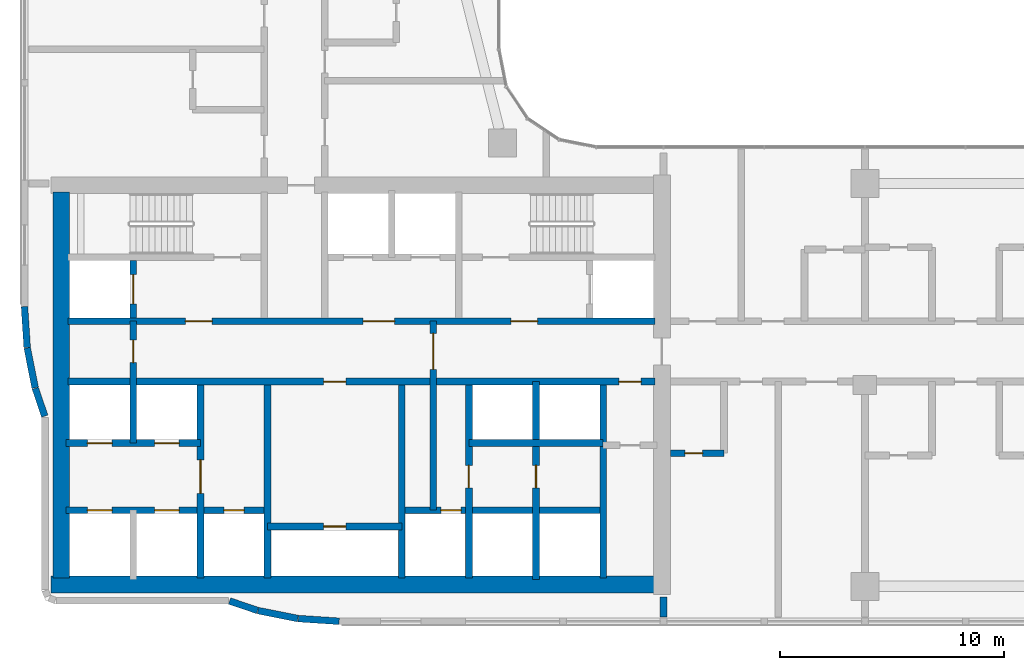
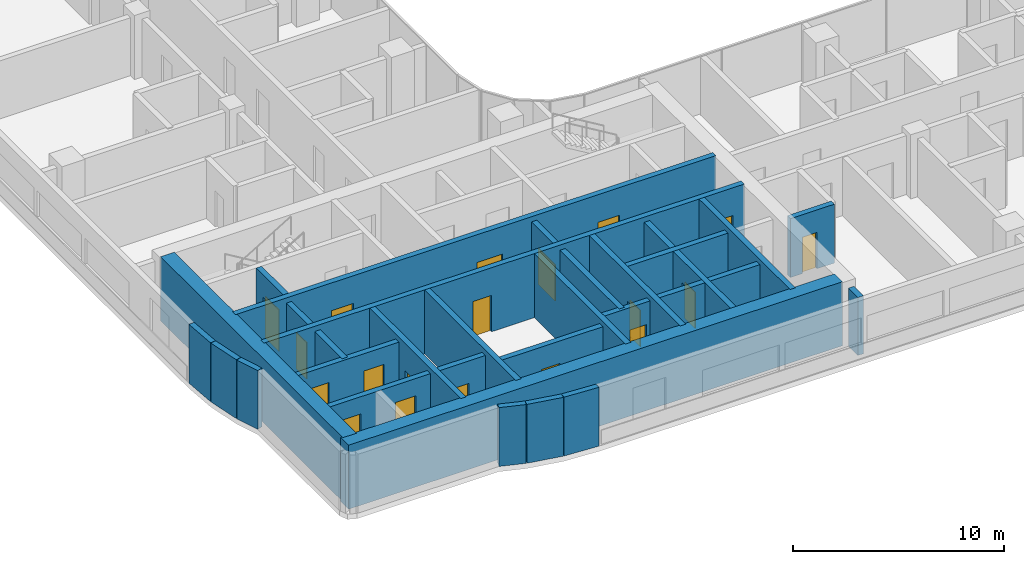
# One storey, part 9 of 22: 26 walls, 19 doors, 19 openings.
"""IFC4 building model written with IfcOpenShell, lengths in metres."""

import ifcopenshell
import ifcopenshell.guid

model = None  # the IFC model being written
_history = None  # IfcOwnerHistory: only IFC2X3 demands one
_inside = {}  # id of a spatial element -> (the spatial element, [elements in it])
_under = {}  # id of a project, library or spatial element -> (it, [spatial elements below it])
_declared = {}  # id of a project -> (the project, [libraries it declares])
_typed = {}  # id of a type object -> (the type object, [elements of that type])
_made_of = {}  # id of a material, layer set ... -> (it, [elements and type objects made of it])


def new_model(schema):
    """Start an empty IFC model of exactly this schema.

    Asked for "IFC4X3", IfcOpenShell would pick the latest addendum, in which some entities
    have other attributes; the version numbers below select the first issue.
    IFC2X3 requires an IfcOwnerHistory on every rooted entity: one is made here for all.
    """
    global model, _history
    if schema == "IFC4X3":
        model = ifcopenshell.file(schema_version=(4, 3, 0, 0))
    else:
        model = ifcopenshell.file(schema=schema)
    _inside.clear()
    _under.clear()
    _declared.clear()
    _typed.clear()
    _made_of.clear()
    _history = None
    if model.schema == "IFC2X3":
        org = make("IfcOrganization", Name="unknown")
        user = make(
            "IfcPersonAndOrganization",
            ThePerson=make("IfcPerson", FamilyName="unknown"),
            TheOrganization=org,
        )
        app = make(
            "IfcApplication",
            ApplicationDeveloper=org,
            Version="unknown",
            ApplicationFullName="unknown",
            ApplicationIdentifier="unknown",
        )
        _history = make(
            "IfcOwnerHistory",
            OwningUser=user,
            OwningApplication=app,
            ChangeAction="ADDED",
            CreationDate=0,
        )
    return model


def make(cls, **values):
    """One entity of the class cls with the attributes given. An attribute that is None is left unset."""
    return model.create_entity(
        cls, **{name: value for name, value in values.items() if value is not None}
    )


def rooted(cls, **values):
    """An entity with a GlobalId (a new one), such as an element, a storey or a relation."""
    return make(cls, GlobalId=ifcopenshell.guid.new(), OwnerHistory=_history, **values)


def si_unit(unit_type, name, prefix=None):
    """IfcSIUnit, for example si_unit("LENGTHUNIT", "METRE", prefix="MILLI")."""
    return make("IfcSIUnit", UnitType=unit_type, Prefix=prefix, Name=name)


def assignment(units):
    """IfcUnitAssignment: the units of a project."""
    return None if units is None else make("IfcUnitAssignment", Units=units)


def point(xyz):
    """IfcCartesianPoint."""
    return None if xyz is None else make("IfcCartesianPoint", Coordinates=xyz)


def direction(xyz):
    """IfcDirection."""
    return None if xyz is None else make("IfcDirection", DirectionRatios=xyz)


def frame(location, z_axis=None, x_axis=None):
    """IfcAxis2Placement3D, a coordinate frame: its origin and axes. An axis left out is left unset."""
    return make(
        "IfcAxis2Placement3D",
        Location=point(location),
        Axis=direction(z_axis),
        RefDirection=direction(x_axis),
    )


def frame_2d(location, x_axis=None):
    """IfcAxis2Placement2D, a coordinate frame in the plane: its origin and x axis."""
    return make(
        "IfcAxis2Placement2D", Location=point(location), RefDirection=direction(x_axis)
    )


def origin():
    """The frame at (0, 0, 0) with its axes left unset."""
    return frame((0.0, 0.0, 0.0))


def place(relative_to, where):
    """IfcLocalPlacement: puts the frame where relative to a parent placement (None: the world)."""
    return make(
        "IfcLocalPlacement", PlacementRelTo=relative_to, RelativePlacement=where
    )


def context(
    kind, dimensions, precision=None, world=None, true_north=None, identifier=None
):
    """IfcGeometricRepresentationContext, for example the 3D "Model" context."""
    return make(
        "IfcGeometricRepresentationContext",
        ContextIdentifier=identifier,
        ContextType=kind,
        CoordinateSpaceDimension=dimensions,
        Precision=precision,
        WorldCoordinateSystem=world,
        TrueNorth=true_north,
    )


def subcontext(parent, identifier, kind, view, scale=None):
    """IfcGeometricRepresentationSubContext, for example "Body" below "Model"."""
    return make(
        "IfcGeometricRepresentationSubContext",
        ContextIdentifier=identifier,
        ContextType=kind,
        ParentContext=parent,
        TargetScale=scale,
        TargetView=view,
    )


def project(units=None, contexts=None):
    """IfcProject with its units and contexts."""
    return rooted(
        "IfcProject",
        Name="project",
        RepresentationContexts=contexts,
        UnitsInContext=assignment(units),
    )


def spatial(cls, under=None, at=None, **own):
    """A site, building, storey or space (cls), placed at a placement, below another one or the project."""
    s = rooted(cls, ObjectPlacement=at, **own)
    if under is not None:
        _under.setdefault(under.id(), (under, []))[1].append(s)
    return s


def profile(cls, at=None, kind="AREA", **sizes):
    """A parametric profile (cls). Its sizes go by their IFC names, for example OverallWidth=200.0."""
    return make(cls, ProfileType=kind, Position=at, **sizes)


def rectangle(**sizes):
    """IfcRectangleProfileDef."""
    return profile("IfcRectangleProfileDef", **sizes)


def extrude(swept, where, along, depth):
    """IfcExtrudedAreaSolid: the profile swept, set in the frame where, extruded along a direction by depth."""
    return make(
        "IfcExtrudedAreaSolid",
        SweptArea=swept,
        Position=where,
        ExtrudedDirection=direction(along),
        Depth=depth,
    )


def shape(context_of_items, identifier, shape_type, items):
    """IfcShapeRepresentation: the items that make up one representation, for example the "Body"."""
    return make(
        "IfcShapeRepresentation",
        ContextOfItems=context_of_items,
        RepresentationIdentifier=identifier,
        RepresentationType=shape_type,
        Items=items,
    )


def material(Name=None, Category=None):
    """IfcMaterial."""
    return make("IfcMaterial", Name=Name, Category=Category)


def layer(
    of_material, thickness, ventilated=None, Name=None, Category=None, Priority=None
):
    """IfcMaterialLayer: one layer of a wall or slab, of a material (None: an air gap)."""
    return make(
        "IfcMaterialLayer",
        Material=of_material,
        LayerThickness=thickness,
        IsVentilated=ventilated,
        Name=Name,
        Category=Category,
        Priority=Priority,
    )


def layer_set(layers, Name=None):
    """IfcMaterialLayerSet."""
    return make("IfcMaterialLayerSet", MaterialLayers=layers, LayerSetName=Name)


def made_of(thing, what):
    """Note that an element or type object is made of a material, layer set ...; save() writes the relation."""
    if what is not None:
        _made_of.setdefault(what.id(), (what, []))[1].append(thing)
    return thing


def type_object(cls, material=None, **own):
    """A type object (cls), such as IfcWallType, which elements share."""
    return made_of(rooted(cls, **own), material)


def element(
    cls,
    number,
    at=None,
    inside=None,
    cuts=None,
    type_object=None,
    material=None,
    context=None,
    identifier="Body",
    shape_type=None,
    held_by="IfcProductDefinitionShape",
    body=None,
    shapes=None,
    **own,
):
    """One element of the class cls, such as IfcWall. Its Tag is "e" and its number.

    at: its placement. inside: the storey or other place that contains it. cuts: it is an
    opening in that element (IfcRelVoidsElement). A single representation is given by context,
    identifier, shape_type and body (its items); several are given by shapes. held_by: the class
    of the entity that holds the representations. save() writes the other relations.
    """
    e = rooted(cls, Tag="e%d" % number, ObjectPlacement=at, **own)
    if body is not None:
        shapes = [shape(context, identifier, shape_type, body)]
    if shapes is not None:
        e.Representation = make(held_by, Representations=shapes)
    if inside is not None:
        _inside.setdefault(inside.id(), (inside, []))[1].append(e)
    if cuts is not None:
        rooted(
            "IfcRelVoidsElement", RelatingBuildingElement=cuts, RelatedOpeningElement=e
        )
    if type_object is not None:
        _typed.setdefault(type_object.id(), (type_object, []))[1].append(e)
    return made_of(e, material)


def fill(opening, filler):
    """IfcRelFillsElement: the door or window that sits in an opening."""
    return rooted(
        "IfcRelFillsElement",
        RelatingOpeningElement=opening,
        RelatedBuildingElement=filler,
    )


def aggregate(whole, parts):
    """IfcRelAggregates: a whole, such as a stair, and the parts it consists of."""
    return rooted("IfcRelAggregates", RelatingObject=whole, RelatedObjects=parts)


def save(model, path):
    """Write the relations noted so far, then the file.

    IfcRelAggregates (storeys below a building ...), IfcRelContainedInSpatialStructure (elements
    in a storey), IfcRelDefinesByType, IfcRelAssociatesMaterial and IfcRelDeclares: one each for
    every whole, place, type object, material and project.
    """
    for whole, parts in _under.values():
        aggregate(whole, parts)
    for where, things in _inside.values():
        rooted(
            "IfcRelContainedInSpatialStructure",
            RelatedElements=things,
            RelatingStructure=where,
        )
    for kind, things in _typed.values():
        rooted("IfcRelDefinesByType", RelatedObjects=things, RelatingType=kind)
    for what, things in _made_of.values():
        rooted("IfcRelAssociatesMaterial", RelatedObjects=things, RelatingMaterial=what)
    for by, libraries in _declared.values():
        rooted("IfcRelDeclares", RelatingContext=by, RelatedDefinitions=libraries)
    model.write(path)


model = new_model("IFC4")

# Units and contexts
model_context = context("Model", 3, precision=1e-05, world=origin(), true_north=direction((0.0, 1.0)))
body_context = subcontext(model_context, "Body", "Model", "MODEL_VIEW")
ifc_project = project(units=[si_unit("LENGTHUNIT", "METRE"), si_unit("AREAUNIT", "SQUARE_METRE"), si_unit("VOLUMEUNIT", "CUBIC_METRE"), si_unit("PLANEANGLEUNIT", "RADIAN"), si_unit("MASSUNIT", "GRAM", prefix="KILO")], contexts=[model_context])

# Site, building, storey
site_placement = place(None, origin())
site = spatial("IfcSite", under=ifc_project, at=site_placement, CompositionType="ELEMENT")
building_placement = place(site_placement, origin())
building = spatial("IfcBuilding", under=site, at=building_placement, Name="Ogive Portal Towers", CompositionType="ELEMENT")
storey_placement = place(building_placement, frame((0.0, 0.0, 131.5)))
storey = spatial("IfcBuildingStorey", under=building, at=storey_placement, Name="L32", CompositionType="ELEMENT", Elevation=131.5)

# Wall, opening, door
ifc_material_1 = material(Name="Concrete C60/75", Category="concrete")
ifc_layer_1 = layer(ifc_material_1, 0.300048828125)
ifc_layer_set_1 = layer_set([ifc_layer_1], Name="CORE WALL 300 C60")
wall_type_1 = type_object("IfcWallType", Name="CORE WALL 300 C60", PredefinedType="SHEAR", material=ifc_layer_set_1)
wall_1_placement = place(storey_placement, frame((37.800048828125, 21.875, 0.0), z_axis=(0.0, 0.0, 1.0), x_axis=(0.0, 1.0, 0.0)))
wall_1 = element("IfcWall", 1, at=wall_1_placement, inside=storey, type_object=wall_type_1, Name="Core wall X1 L32", PredefinedType="SHEAR", context=body_context, shape_type="SweptSolid", body=[
    extrude(rectangle(XDim=8.625, YDim=0.300048828125, at=frame_2d((4.3125, 0.0))), origin(), (0.0, 0.0, 1.0), 3.699951171875),
])
opening_1_placement = place(wall_1_placement, frame((3.77490234375, 0.0, 0.0)))
opening_1 = element("IfcOpeningElement", 2, at=opening_1_placement, cuts=wall_1, Name="Opening D11-002", PredefinedType="OPENING", context=body_context, shape_type="SweptSolid", body=[
    extrude(rectangle(XDim=1.5, YDim=2.10009765625, at=frame_2d((0.75, 1.050048828125))), frame((0.0, 0.16015625, 0.0), z_axis=(0.0, -1.0, 0.0), x_axis=(1.0, 0.0, 0.0)), (0.0, 0.0, 1.0), 0.320068359375),
])
ifc_material_2 = material(Name="Steel fire door", Category="steel")
door_type_1 = type_object("IfcDoorType", Name="DT-SWING-1500x2100-FD90S", OperationType="SINGLE_SWING_LEFT", PredefinedType="DOOR", material=ifc_material_2)
door_1_placement = place(opening_1_placement, origin())
door_1 = element("IfcDoor", 3, at=door_1_placement, inside=storey, type_object=door_type_1, Name="Door D11-002", OperationType="SINGLE_SWING_LEFT", OverallHeight=2.10009765625, OverallWidth=1.5, PredefinedType="DOOR", context=body_context, shape_type="SweptSolid", body=[
    extrude(rectangle(XDim=1.5, YDim=2.10009765625, at=frame_2d((0.75, 1.050048828125))), frame((0.0, 0.02490234375, 0.0), z_axis=(0.0, -1.0, 0.0), x_axis=(1.0, 0.0, 0.0)), (0.0, 0.0, 1.0), 0.050048828125),
])
fill(opening_1, door_1)

# Walls
for number, where, z_axis, x_axis, name in (
    (4, (40.800048828125, 21.875, 0.0), (0.0, 0.0, 1.0), (0.0, 1.0, 0.0), "Core wall X2 L32"),
    (5, (46.800048828125, 21.875, 0.0), (0.0, 0.0, 1.0), (0.0, 1.0, 0.0), "Core wall X3 L32"),
):
    element("IfcWall", number, at=place(storey_placement, frame(where, z_axis=z_axis, x_axis=x_axis)), inside=storey, type_object=wall_type_1, Name=name, PredefinedType="SHEAR", context=body_context, shape_type="SweptSolid", body=[
        extrude(rectangle(XDim=8.625, YDim=0.300048828125, at=frame_2d((4.3125, 0.0))), origin(), (0.0, 0.0, 1.0), 3.699951171875),
    ])

# Wall, opening, door
wall_2_placement = place(storey_placement, frame((49.800048828125, 21.875, 0.0), z_axis=(0.0, 0.0, 1.0), x_axis=(0.0, 1.0, 0.0)))
wall_2 = element("IfcWall", 6, at=wall_2_placement, inside=storey, type_object=wall_type_1, Name="Core wall X4 L32", PredefinedType="SHEAR", context=body_context, shape_type="SweptSolid", body=[
    extrude(rectangle(XDim=8.625, YDim=0.300048828125, at=frame_2d((4.3125, 0.0))), origin(), (0.0, 0.0, 1.0), 3.699951171875),
])
opening_2_placement = place(wall_2_placement, frame((4.02490234375, 0.0, 0.0)))
opening_2 = element("IfcOpeningElement", 7, at=opening_2_placement, cuts=wall_2, Name="Opening D11-024", PredefinedType="OPENING", context=body_context, shape_type="SweptSolid", body=[
    extrude(rectangle(XDim=1.0, YDim=2.10009765625, at=frame_2d((0.5, 1.050048828125))), frame((0.0, 0.16015625, 0.0), z_axis=(0.0, -1.0, 0.0), x_axis=(1.0, 0.0, 0.0)), (0.0, 0.0, 1.0), 0.320068359375),
])
door_type_2 = type_object("IfcDoorType", Name="DT-SWING-1000x2100-FD90S", OperationType="SINGLE_SWING_LEFT", PredefinedType="DOOR", material=ifc_material_2)
door_2_placement = place(opening_2_placement, origin())
door_2 = element("IfcDoor", 8, at=door_2_placement, inside=storey, type_object=door_type_2, Name="Door D11-024", OperationType="SINGLE_SWING_LEFT", OverallHeight=2.10009765625, OverallWidth=1.0, PredefinedType="DOOR", context=body_context, shape_type="SweptSolid", body=[
    extrude(rectangle(XDim=1.0, YDim=2.10009765625, at=frame_2d((0.5, 1.050048828125))), frame((0.0, 0.02490234375, 0.0), z_axis=(0.0, -1.0, 0.0), x_axis=(1.0, 0.0, 0.0)), (0.0, 0.0, 1.0), 0.050048828125),
])
fill(opening_2, door_2)

# Wall
wall_3_placement = place(storey_placement, frame((55.800048828125, 21.875, 0.0), z_axis=(0.0, 0.0, 1.0), x_axis=(0.0, 1.0, 0.0)))
element("IfcWall", 9, at=wall_3_placement, inside=storey, type_object=wall_type_1, Name="Core wall X5 L32", PredefinedType="SHEAR", context=body_context, shape_type="SweptSolid", body=[
    extrude(rectangle(XDim=8.625, YDim=0.300048828125, at=frame_2d((4.3125, 0.0))), origin(), (0.0, 0.0, 1.0), 3.699951171875),
])

# Wall, openings, doors
wall_4_placement = place(storey_placement, frame((31.875, 30.64990234375, 0.0), z_axis=(0.0, 0.0, 1.0), x_axis=(1.0, 0.0, 0.0)))
wall_4 = element("IfcWall", 10, at=wall_4_placement, inside=storey, type_object=wall_type_1, Name="Core wall Y1 L32", PredefinedType="SHEAR", context=body_context, shape_type="SweptSolid", body=[
    extrude(rectangle(XDim=26.25, YDim=0.300048828125, at=frame_2d((13.125, 0.0))), origin(), (0.0, 0.0, 1.0), 3.699951171875),
])
opening_3_placement = place(wall_4_placement, frame((24.625, 0.0, 0.0)))
opening_3 = element("IfcOpeningElement", 11, at=opening_3_placement, cuts=wall_4, Name="Opening D11-010", PredefinedType="OPENING", context=body_context, shape_type="SweptSolid", body=[
    extrude(rectangle(XDim=1.0, YDim=2.10009765625, at=frame_2d((0.5, 1.050048828125))), frame((0.0, 0.16015625, 0.0), z_axis=(0.0, -1.0, 0.0), x_axis=(1.0, 0.0, 0.0)), (0.0, 0.0, 1.0), 0.320068359375),
])
opening_4_placement = place(wall_4_placement, frame((11.425048828125, 0.0, 0.0)))
opening_4 = element("IfcOpeningElement", 12, at=opening_4_placement, cuts=wall_4, Name="Opening D11-022", PredefinedType="OPENING", context=body_context, shape_type="SweptSolid", body=[
    extrude(rectangle(XDim=1.0, YDim=2.10009765625, at=frame_2d((0.5, 1.050048828125))), frame((0.0, 0.16015625, 0.0), z_axis=(0.0, -1.0, 0.0), x_axis=(1.0, 0.0, 0.0)), (0.0, 0.0, 1.0), 0.320068359375),
])
door_3_placement = place(opening_3_placement, origin())
door_3 = element("IfcDoor", 13, at=door_3_placement, inside=storey, type_object=door_type_2, Name="Door D11-010", OperationType="SINGLE_SWING_LEFT", OverallHeight=2.10009765625, OverallWidth=1.0, PredefinedType="DOOR", context=body_context, shape_type="SweptSolid", body=[
    extrude(rectangle(XDim=1.0, YDim=2.10009765625, at=frame_2d((0.5, 1.050048828125))), frame((0.0, 0.02490234375, 0.0), z_axis=(0.0, -1.0, 0.0), x_axis=(1.0, 0.0, 0.0)), (0.0, 0.0, 1.0), 0.050048828125),
])
fill(opening_3, door_3)
door_4_placement = place(opening_4_placement, origin())
door_4 = element("IfcDoor", 14, at=door_4_placement, inside=storey, type_object=door_type_2, Name="Door D11-022", OperationType="SINGLE_SWING_LEFT", OverallHeight=2.10009765625, OverallWidth=1.0, PredefinedType="DOOR", context=body_context, shape_type="SweptSolid", body=[
    extrude(rectangle(XDim=1.0, YDim=2.10009765625, at=frame_2d((0.5, 1.050048828125))), frame((0.0, 0.02490234375, 0.0), z_axis=(0.0, -1.0, 0.0), x_axis=(1.0, 0.0, 0.0)), (0.0, 0.0, 1.0), 0.050048828125),
])
fill(opening_4, door_4)

wall_5_placement = place(storey_placement, frame((31.875, 33.35009765625, 0.0), z_axis=(0.0, 0.0, 1.0), x_axis=(1.0, 0.0, 0.0)))
wall_5 = element("IfcWall", 15, at=wall_5_placement, inside=storey, type_object=wall_type_1, Name="Core wall Y2 L32", PredefinedType="SHEAR", context=body_context, shape_type="SweptSolid", body=[
    extrude(rectangle(XDim=26.25, YDim=0.300048828125, at=frame_2d((13.125, 0.0))), origin(), (0.0, 0.0, 1.0), 3.699951171875),
])
opening_5_placement = place(wall_5_placement, frame((13.199951171875, 0.0, 0.0)))
opening_5 = element("IfcOpeningElement", 16, at=opening_5_placement, cuts=wall_5, Name="Opening D11-003", PredefinedType="OPENING", context=body_context, shape_type="SweptSolid", body=[
    extrude(rectangle(XDim=1.39990234375, YDim=2.10009765625, at=frame_2d((0.699951171875, 1.050048828125))), frame((0.0, 0.16015625, 0.0), z_axis=(0.0, -1.0, 0.0), x_axis=(1.0, 0.0, 0.0)), (0.0, 0.0, 1.0), 0.320068359375),
])
opening_6_placement = place(wall_5_placement, frame((5.25, 0.0, 0.0)))
opening_6 = element("IfcOpeningElement", 17, at=opening_6_placement, cuts=wall_5, Name="Opening D11-004", PredefinedType="OPENING", context=body_context, shape_type="SweptSolid", body=[
    extrude(rectangle(XDim=1.199951171875, YDim=2.10009765625, at=frame_2d((0.60009765625, 1.050048828125))), frame((0.0, 0.16015625, 0.0), z_axis=(0.0, -1.0, 0.0), x_axis=(1.0, 0.0, 0.0)), (0.0, 0.0, 1.0), 0.320068359375),
])
opening_7_placement = place(wall_5_placement, frame((19.800048828125, 0.0, 0.0)))
opening_7 = element("IfcOpeningElement", 18, at=opening_7_placement, cuts=wall_5, Name="Opening D11-005", PredefinedType="OPENING", context=body_context, shape_type="SweptSolid", body=[
    extrude(rectangle(XDim=1.199951171875, YDim=2.10009765625, at=frame_2d((0.60009765625, 1.050048828125))), frame((0.0, 0.16015625, 0.0), z_axis=(0.0, -1.0, 0.0), x_axis=(1.0, 0.0, 0.0)), (0.0, 0.0, 1.0), 0.320068359375),
])
door_type_3 = type_object("IfcDoorType", Name="DT-SWING-1200x2100-FD90S", OperationType="SINGLE_SWING_LEFT", PredefinedType="DOOR", material=ifc_material_2)
door_5_placement = place(opening_6_placement, origin())
door_5 = element("IfcDoor", 19, at=door_5_placement, inside=storey, type_object=door_type_3, Name="Door D11-004", OperationType="SINGLE_SWING_LEFT", OverallHeight=2.10009765625, OverallWidth=1.199951171875, PredefinedType="DOOR", context=body_context, shape_type="SweptSolid", body=[
    extrude(rectangle(XDim=1.199951171875, YDim=2.10009765625, at=frame_2d((0.60009765625, 1.050048828125))), frame((0.0, 0.02490234375, 0.0), z_axis=(0.0, -1.0, 0.0), x_axis=(1.0, 0.0, 0.0)), (0.0, 0.0, 1.0), 0.050048828125),
])
fill(opening_6, door_5)
door_6_placement = place(opening_7_placement, origin())
door_6 = element("IfcDoor", 20, at=door_6_placement, inside=storey, type_object=door_type_3, Name="Door D11-005", OperationType="SINGLE_SWING_RIGHT", OverallHeight=2.10009765625, OverallWidth=1.199951171875, PredefinedType="DOOR", context=body_context, shape_type="SweptSolid", body=[
    extrude(rectangle(XDim=1.199951171875, YDim=2.10009765625, at=frame_2d((0.60009765625, 1.050048828125))), frame((0.0, 0.02490234375, 0.0), z_axis=(0.0, -1.0, 0.0), x_axis=(1.0, 0.0, 0.0)), (0.0, 0.0, 1.0), 0.050048828125),
])
fill(opening_7, door_6)
door_type_4 = type_object("IfcDoorType", Name="DT-SWING-1400x2100-FD90S", OperationType="SINGLE_SWING_LEFT", PredefinedType="DOOR", material=ifc_material_2)
door_7_placement = place(opening_5_placement, origin())
door_7 = element("IfcDoor", 21, at=door_7_placement, inside=storey, type_object=door_type_4, Name="Door D11-003", OperationType="SINGLE_SWING_RIGHT", OverallHeight=2.10009765625, OverallWidth=1.39990234375, PredefinedType="DOOR", context=body_context, shape_type="SweptSolid", body=[
    extrude(rectangle(XDim=1.39990234375, YDim=2.10009765625, at=frame_2d((0.699951171875, 1.050048828125))), frame((0.0, 0.02490234375, 0.0), z_axis=(0.0, -1.0, 0.0), x_axis=(1.0, 0.0, 0.0)), (0.0, 0.0, 1.0), 0.050048828125),
])
fill(opening_5, door_7)

# Wall, opening, door
wall_6_placement = place(storey_placement, frame((34.800048828125, 33.5, 0.0), z_axis=(0.0, 0.0, 1.0), x_axis=(0.0, 1.0, 0.0)))
wall_6 = element("IfcWall", 22, at=wall_6_placement, inside=storey, type_object=wall_type_1, Name="Core wall X8 L32", PredefinedType="SHEAR", context=body_context, shape_type="SweptSolid", body=[
    extrude(rectangle(XDim=2.550048828125, YDim=0.300048828125, at=frame_2d((1.27490234375, 0.0))), origin(), (0.0, 0.0, 1.0), 3.699951171875),
])
opening_8_placement = place(wall_6_placement, frame((0.625, 0.0, 0.0)))
opening_8 = element("IfcOpeningElement", 23, at=opening_8_placement, cuts=wall_6, Name="Opening D11-020", PredefinedType="OPENING", context=body_context, shape_type="SweptSolid", body=[
    extrude(rectangle(XDim=1.300048828125, YDim=2.39990234375, at=frame_2d((0.64990234375, 1.199951171875))), frame((0.0, 0.16015625, 0.0), z_axis=(0.0, -1.0, 0.0), x_axis=(1.0, 0.0, 0.0)), (0.0, 0.0, 1.0), 0.320068359375),
])
ifc_material_3 = material(Name="Stainless steel", Category="steel")
door_type_5 = type_object("IfcDoorType", Name="DT-LD-1300x2400", OperationType="SLIDING_TO_LEFT", PredefinedType="DOOR", material=ifc_material_3)
door_8_placement = place(opening_8_placement, origin())
door_8 = element("IfcDoor", 24, at=door_8_placement, inside=storey, type_object=door_type_5, Name="Door D11-020", OperationType="SLIDING_TO_LEFT", OverallHeight=2.39990234375, OverallWidth=1.300048828125, PredefinedType="DOOR", context=body_context, shape_type="SweptSolid", body=[
    extrude(rectangle(XDim=1.300048828125, YDim=2.39990234375, at=frame_2d((0.64990234375, 1.199951171875))), frame((0.0, 0.02490234375, 0.0), z_axis=(0.0, -1.0, 0.0), x_axis=(1.0, 0.0, 0.0)), (0.0, 0.0, 1.0), 0.050048828125),
])
fill(opening_8, door_8)

# Walls
ifc_layer_2 = layer(ifc_material_1, 0.75)
ifc_layer_set_2 = layer_set([ifc_layer_2], Name="CORE WALL 750 C60")
wall_type_2 = type_object("IfcWallType", Name="CORE WALL 750 C60", PredefinedType="SHEAR", material=ifc_layer_set_2)
wall_7_placement = place(storey_placement, frame((31.574951171875, 21.875, 0.0), z_axis=(0.0, 0.0, 1.0), x_axis=(0.0, 1.0, 0.0)))
element("IfcWall", 25, at=wall_7_placement, inside=storey, type_object=wall_type_2, Name="Core wall W L32", PredefinedType="SHEAR", context=body_context, shape_type="SweptSolid", body=[
    extrude(rectangle(XDim=17.25, YDim=0.75, at=frame_2d((8.625, 0.0))), origin(), (0.0, 0.0, 1.0), 3.699951171875),
])
wall_8_placement = place(storey_placement, frame((31.125, 21.574951171875, 0.0), z_axis=(0.0, 0.0, 1.0), x_axis=(1.0, 0.0, 0.0)))
element("IfcWall", 26, at=wall_8_placement, inside=storey, type_object=wall_type_2, Name="Core wall S L32", PredefinedType="SHEAR", context=body_context, shape_type="SweptSolid", body=[
    extrude(rectangle(XDim=27.0, YDim=0.75, at=frame_2d((13.5, 0.0))), origin(), (0.0, 0.0, 1.0), 3.699951171875),
])
ifc_material_4 = material(Name="Limestone cladding on lightweight block wall", Category="masonry")
ifc_layer_3 = layer(ifc_material_4, 0.300048828125)
ifc_layer_set_3 = layer_set([ifc_layer_3], Name="EXTERNAL WALL 300 STONE")
wall_type_3 = type_object("IfcWallType", Name="EXTERNAL WALL 300 STONE", PredefinedType="SOLIDWALL", material=ifc_layer_set_3)
wall_9_placement = place(storey_placement, frame((39.1005859375, 20.842041015625, 0.0), z_axis=(0.0, 0.0, 1.0), x_axis=(0.946930456305, -0.32143850255, 0.0)))
element("IfcWall", 27, at=wall_9_placement, inside=storey, type_object=wall_type_3, Name="A:L32:f04:r0:wall", PredefinedType="SOLIDWALL", context=body_context, shape_type="SweptSolid", body=[
    extrude(rectangle(XDim=1.320068359375, YDim=0.300048828125, at=frame_2d((0.66015625, 0.0))), origin(), (0.0, 0.0, 1.0), 3.39990234375),
])
wall_10_placement = place(storey_placement, frame((40.369384765625, 20.41259765625, 0.0), z_axis=(0.0, 0.0, 1.0), x_axis=(0.980796757168, -0.195032615553, 0.0)))
element("IfcWall", 28, at=wall_10_placement, inside=storey, type_object=wall_type_3, Name="A:L32:f05:r0:wall", PredefinedType="SOLIDWALL", context=body_context, shape_type="SweptSolid", body=[
    extrude(rectangle(XDim=1.820068359375, YDim=0.300048828125, at=frame_2d((0.91015625, 0.0))), origin(), (0.0, 0.0, 1.0), 3.39990234375),
])
for number, where, z_axis, x_axis, name in (
    (29, (42.174072265625, 20.054931640625, 0.0), (0.0, 0.0, 1.0), (0.997860660543, -0.065376617685, 0.0), "A:L32:f06:r0:wall"),
    (30, (29.935302734375, 34.0, 0.0), (0.0, 0.0, 1.0), (0.065376617685, -0.997860660543, 0.0), "A:L32:f26:r0:wall"),
):
    element("IfcWall", number, at=place(storey_placement, frame(where, z_axis=z_axis, x_axis=x_axis)), inside=storey, type_object=wall_type_3, Name=name, PredefinedType="SOLIDWALL", context=body_context, shape_type="SweptSolid", body=[
        extrude(rectangle(XDim=1.829833984375, YDim=0.300048828125, at=frame_2d((0.9150390625, 0.0))), origin(), (0.0, 0.0, 1.0), 3.39990234375),
    ])
wall_11_placement = place(storey_placement, frame((30.0576171875, 32.154541015625, 0.0), z_axis=(0.0, 0.0, 1.0), x_axis=(0.195032615553, -0.980796757168, 0.0)))
element("IfcWall", 31, at=wall_11_placement, inside=storey, type_object=wall_type_3, Name="A:L32:f27:r0:wall", PredefinedType="SOLIDWALL", context=body_context, shape_type="SweptSolid", body=[
    extrude(rectangle(XDim=1.820068359375, YDim=0.300048828125, at=frame_2d((0.91015625, 0.0))), origin(), (0.0, 0.0, 1.0), 3.39990234375),
])
wall_12_placement = place(storey_placement, frame((30.417724609375, 30.3505859375, 0.0), z_axis=(0.0, 0.0, 1.0), x_axis=(0.32143850255, -0.946930456305, 0.0)))
element("IfcWall", 32, at=wall_12_placement, inside=storey, type_object=wall_type_3, Name="A:L32:f28:r0:wall", PredefinedType="SOLIDWALL", context=body_context, shape_type="SweptSolid", body=[
    extrude(rectangle(XDim=1.320068359375, YDim=0.300048828125, at=frame_2d((0.66015625, 0.0))), origin(), (0.0, 0.0, 1.0), 3.39990234375),
])

# Wall, opening, door
ifc_material_5 = material(Name="Gypsum board partition on steel studs", Category="steel")
ifc_layer_4 = layer(ifc_material_5, 0.300048828125)
ifc_layer_set_4 = layer_set([ifc_layer_4], Name="WT-PART-300")
wall_type_4 = type_object("IfcWallType", Name="WT-PART-300", PredefinedType="PARTITIONING", material=ifc_layer_set_4)
wall_13_placement = place(storey_placement, frame((40.800048828125, 24.173095703125, 0.0), z_axis=(0.0, 0.0, 1.0), x_axis=(1.0, 0.0, 0.0)))
wall_13 = element("IfcWall", 33, at=wall_13_placement, inside=storey, type_object=wall_type_4, Name="Wall pw:001:L32", PredefinedType="PARTITIONING", context=body_context, shape_type="SweptSolid", body=[
    extrude(rectangle(XDim=6.0, YDim=0.300048828125, at=frame_2d((3.0, 0.0))), origin(), (0.0, 0.0, 1.0), 3.39990234375),
])
opening_9_placement = place(wall_13_placement, frame((2.5, 0.0, 0.0)))
opening_9 = element("IfcOpeningElement", 34, at=opening_9_placement, cuts=wall_13, Name="Opening D11-023", PredefinedType="OPENING", context=body_context, shape_type="SweptSolid", body=[
    extrude(rectangle(XDim=1.0, YDim=2.10009765625, at=frame_2d((0.5, 1.050048828125))), frame((0.0, 0.16015625, 0.0), z_axis=(0.0, -1.0, 0.0), x_axis=(1.0, 0.0, 0.0)), (0.0, 0.0, 1.0), 0.320068359375),
])
door_type_6 = type_object("IfcDoorType", Name="DT-SWING-1000x2100-FD60S", OperationType="SINGLE_SWING_LEFT", PredefinedType="DOOR", material=ifc_material_2)
door_9_placement = place(opening_9_placement, origin())
door_9 = element("IfcDoor", 35, at=door_9_placement, inside=storey, type_object=door_type_6, Name="Riser access door D11-023", OperationType="SINGLE_SWING_RIGHT", OverallHeight=2.10009765625, OverallWidth=1.0, PredefinedType="DOOR", context=body_context, shape_type="SweptSolid", body=[
    extrude(rectangle(XDim=1.0, YDim=2.10009765625, at=frame_2d((0.5, 1.050048828125))), frame((0.0, 0.02490234375, 0.0), z_axis=(0.0, -1.0, 0.0), x_axis=(1.0, 0.0, 0.0)), (0.0, 0.0, 1.0), 0.050048828125),
])
fill(opening_9, door_9)

wall_14_placement = place(storey_placement, frame((48.199951171875, 24.89990234375, 0.0), z_axis=(0.0, 0.0, 1.0), x_axis=(0.0, 1.0, 0.0)))
wall_14 = element("IfcWall", 36, at=wall_14_placement, inside=storey, type_object=wall_type_4, Name="Wall pw:011:L32", PredefinedType="PARTITIONING", context=body_context, shape_type="SweptSolid", body=[
    extrude(rectangle(XDim=8.4501953125, YDim=0.300048828125, at=frame_2d((4.22509765625, 0.0))), origin(), (0.0, 0.0, 1.0), 3.39990234375),
])
opening_10_placement = place(wall_14_placement, frame((6.300048828125, 0.0, 0.0)))
opening_10 = element("IfcOpeningElement", 37, at=opening_10_placement, cuts=wall_14, Name="Opening D11-001", PredefinedType="OPENING", context=body_context, shape_type="SweptSolid", body=[
    extrude(rectangle(XDim=1.60009765625, YDim=2.10009765625, at=frame_2d((0.800048828125, 1.050048828125))), frame((0.0, 0.16015625, 0.0), z_axis=(0.0, -1.0, 0.0), x_axis=(1.0, 0.0, 0.0)), (0.0, 0.0, 1.0), 0.320068359375),
])
door_type_7 = type_object("IfcDoorType", Name="DT-SWING-1600x2100-FD60S", OperationType="SINGLE_SWING_LEFT", PredefinedType="DOOR", material=ifc_material_2)
door_10_placement = place(opening_10_placement, origin())
door_10 = element("IfcDoor", 38, at=door_10_placement, inside=storey, type_object=door_type_7, Name="Door D11-001", OperationType="SINGLE_SWING_LEFT", OverallHeight=2.10009765625, OverallWidth=1.60009765625, PredefinedType="DOOR", context=body_context, shape_type="SweptSolid", body=[
    extrude(rectangle(XDim=1.60009765625, YDim=2.10009765625, at=frame_2d((0.800048828125, 1.050048828125))), frame((0.0, 0.02490234375, 0.0), z_axis=(0.0, -1.0, 0.0), x_axis=(1.0, 0.0, 0.0)), (0.0, 0.0, 1.0), 0.050048828125),
])
fill(opening_10, door_10)

ifc_layer_5 = layer(ifc_material_5, 0.300048828125)
ifc_layer_set_5 = layer_set([ifc_layer_5], Name="WT-PART-300-EI 60")
wall_type_5 = type_object("IfcWallType", Name="WT-PART-300-EI 60", PredefinedType="PARTITIONING", material=ifc_layer_set_5)
wall_15_placement = place(storey_placement, frame((58.800048828125, 27.449951171875, 0.0), z_axis=(0.0, 0.0, 1.0), x_axis=(1.0, 0.0, 0.0)))
wall_15 = element("IfcWall", 39, at=wall_15_placement, inside=storey, type_object=wall_type_5, Name="Wall L32:w004", PredefinedType="PARTITIONING", context=body_context, shape_type="SweptSolid", body=[
    extrude(rectangle(XDim=2.39990234375, YDim=0.300048828125, at=frame_2d((1.199951171875, 0.0))), origin(), (0.0, 0.0, 1.0), 3.39990234375),
])
opening_11_placement = place(wall_15_placement, frame((0.64990234375, 0.0, 0.0)))
opening_11 = element("IfcOpeningElement", 40, at=opening_11_placement, cuts=wall_15, Name="Opening D11-030", PredefinedType="OPENING", context=body_context, shape_type="SweptSolid", body=[
    extrude(rectangle(XDim=0.800048828125, YDim=2.10009765625, at=frame_2d((0.39990234375, 1.050048828125))), frame((0.0, 0.16015625, 0.0), z_axis=(0.0, -1.0, 0.0), x_axis=(1.0, 0.0, 0.0)), (0.0, 0.0, 1.0), 0.320068359375),
])
door_type_8 = type_object("IfcDoorType", Name="DT-BATH-800x2100-FD60S", OperationType="SINGLE_SWING_LEFT", PredefinedType="DOOR", material=ifc_material_2)
door_11_placement = place(opening_11_placement, origin())
door_11 = element("IfcDoor", 41, at=door_11_placement, inside=storey, type_object=door_type_8, Name="Door D11-030", OperationType="SINGLE_SWING_LEFT", OverallHeight=2.10009765625, OverallWidth=0.800048828125, PredefinedType="DOOR", context=body_context, shape_type="SweptSolid", body=[
    extrude(rectangle(XDim=0.800048828125, YDim=2.10009765625, at=frame_2d((0.39990234375, 1.050048828125))), frame((0.0, 0.02490234375, 0.0), z_axis=(0.0, -1.0, 0.0), x_axis=(1.0, 0.0, 0.0)), (0.0, 0.0, 1.0), 0.050048828125),
])
fill(opening_11, door_11)

# Wall
wall_16_placement = place(storey_placement, frame((58.5, 20.135009765625, 0.0), z_axis=(0.0, 0.0, 1.0), x_axis=(0.0, 1.0, 0.0)))
element("IfcWall", 42, at=wall_16_placement, inside=storey, type_object=wall_type_5, Name="Wall L32:w044", PredefinedType="PARTITIONING", context=body_context, shape_type="SweptSolid", body=[
    extrude(rectangle(XDim=0.89501953125, YDim=0.300048828125, at=frame_2d((0.447509765625, 0.0))), origin(), (0.0, 0.0, 1.0), 3.35009765625),
])

# Wall, openings, doors
ifc_material_6 = material(Name="Concrete C40/50", Category="concrete")
ifc_layer_6 = layer(ifc_material_6, 0.300048828125)
ifc_layer_set_6 = layer_set([ifc_layer_6], Name="WT-SHAFT-300")
wall_type_6 = type_object("IfcWallType", Name="WT-SHAFT-300", PredefinedType="SOLIDWALL", material=ifc_layer_set_6)
wall_17_placement = place(storey_placement, frame((31.800048828125, 24.89990234375, 0.0), z_axis=(0.0, 0.0, 1.0), x_axis=(1.0, 0.0, 0.0)))
wall_17 = element("IfcWall", 43, at=wall_17_placement, inside=storey, type_object=wall_type_6, Name="Wall pw:002:L32", PredefinedType="SOLIDWALL", context=body_context, shape_type="SweptSolid", body=[
    extrude(rectangle(XDim=9.0, YDim=0.300048828125, at=frame_2d((4.5, 0.0))), origin(), (0.0, 0.0, 1.0), 3.39990234375),
])
opening_12_placement = place(wall_17_placement, frame((7.050048828125, 0.0, 0.0)))
opening_12 = element("IfcOpeningElement", 44, at=opening_12_placement, cuts=wall_17, Name="Opening D11-008", PredefinedType="OPENING", context=body_context, shape_type="SweptSolid", body=[
    extrude(rectangle(XDim=0.89990234375, YDim=2.10009765625, at=frame_2d((0.449951171875, 1.050048828125))), frame((0.0, 0.16015625, 0.0), z_axis=(0.0, -1.0, 0.0), x_axis=(1.0, 0.0, 0.0)), (0.0, 0.0, 1.0), 0.320068359375),
])
opening_13_placement = place(wall_17_placement, frame((0.949951171875, 0.0, 0.0)))
opening_13 = element("IfcOpeningElement", 45, at=opening_13_placement, cuts=wall_17, Name="Opening D11-014", PredefinedType="OPENING", context=body_context, shape_type="SweptSolid", body=[
    extrude(rectangle(XDim=1.10009765625, YDim=2.39990234375, at=frame_2d((0.550048828125, 1.199951171875))), frame((0.0, 0.16015625, 0.0), z_axis=(0.0, -1.0, 0.0), x_axis=(1.0, 0.0, 0.0)), (0.0, 0.0, 1.0), 0.320068359375),
])
opening_14_placement = place(wall_17_placement, frame((3.949951171875, 0.0, 0.0)))
opening_14 = element("IfcOpeningElement", 46, at=opening_14_placement, cuts=wall_17, Name="Opening D11-015", PredefinedType="OPENING", context=body_context, shape_type="SweptSolid", body=[
    extrude(rectangle(XDim=1.10009765625, YDim=2.39990234375, at=frame_2d((0.550048828125, 1.199951171875))), frame((0.0, 0.16015625, 0.0), z_axis=(0.0, -1.0, 0.0), x_axis=(1.0, 0.0, 0.0)), (0.0, 0.0, 1.0), 0.320068359375),
])
door_type_9 = type_object("IfcDoorType", Name="DT-LD-1100x2400", OperationType="SLIDING_TO_LEFT", PredefinedType="DOOR", material=ifc_material_3)
door_12_placement = place(opening_13_placement, origin())
door_12 = element("IfcDoor", 47, at=door_12_placement, inside=storey, type_object=door_type_9, Name="Door D11-014", OperationType="SLIDING_TO_LEFT", OverallHeight=2.39990234375, OverallWidth=1.10009765625, PredefinedType="DOOR", context=body_context, shape_type="SweptSolid", body=[
    extrude(rectangle(XDim=1.10009765625, YDim=2.39990234375, at=frame_2d((0.550048828125, 1.199951171875))), frame((0.0, 0.02490234375, 0.0), z_axis=(0.0, -1.0, 0.0), x_axis=(1.0, 0.0, 0.0)), (0.0, 0.0, 1.0), 0.050048828125),
])
fill(opening_13, door_12)
door_13_placement = place(opening_14_placement, origin())
door_13 = element("IfcDoor", 48, at=door_13_placement, inside=storey, type_object=door_type_9, Name="Door D11-015", OperationType="SLIDING_TO_LEFT", OverallHeight=2.39990234375, OverallWidth=1.10009765625, PredefinedType="DOOR", context=body_context, shape_type="SweptSolid", body=[
    extrude(rectangle(XDim=1.10009765625, YDim=2.39990234375, at=frame_2d((0.550048828125, 1.199951171875))), frame((0.0, 0.02490234375, 0.0), z_axis=(0.0, -1.0, 0.0), x_axis=(1.0, 0.0, 0.0)), (0.0, 0.0, 1.0), 0.050048828125),
])
fill(opening_14, door_13)
door_type_10 = type_object("IfcDoorType", Name="DT-SWING-900x2100-FD90S", OperationType="SINGLE_SWING_LEFT", PredefinedType="DOOR", material=ifc_material_2)
door_14_placement = place(opening_12_placement, origin())
door_14 = element("IfcDoor", 49, at=door_14_placement, inside=storey, type_object=door_type_10, Name="Riser access door D11-008", OperationType="SINGLE_SWING_LEFT", OverallHeight=2.10009765625, OverallWidth=0.89990234375, PredefinedType="DOOR", context=body_context, shape_type="SweptSolid", body=[
    extrude(rectangle(XDim=0.89990234375, YDim=2.10009765625, at=frame_2d((0.449951171875, 1.050048828125))), frame((0.0, 0.02490234375, 0.0), z_axis=(0.0, -1.0, 0.0), x_axis=(1.0, 0.0, 0.0)), (0.0, 0.0, 1.0), 0.050048828125),
])
fill(opening_12, door_14)

# Wall, opening, door
wall_18_placement = place(storey_placement, frame((46.800048828125, 24.89990234375, 0.0), z_axis=(0.0, 0.0, 1.0), x_axis=(1.0, 0.0, 0.0)))
wall_18 = element("IfcWall", 50, at=wall_18_placement, inside=storey, type_object=wall_type_6, Name="Wall pw:003:L32", PredefinedType="SOLIDWALL", context=body_context, shape_type="SweptSolid", body=[
    extrude(rectangle(XDim=9.0, YDim=0.300048828125, at=frame_2d((4.5, 0.0))), origin(), (0.0, 0.0, 1.0), 3.39990234375),
])
opening_15_placement = place(wall_18_placement, frame((1.75, 0.0, 0.0)))
opening_15 = element("IfcOpeningElement", 51, at=opening_15_placement, cuts=wall_18, Name="Opening D11-009", PredefinedType="OPENING", context=body_context, shape_type="SweptSolid", body=[
    extrude(rectangle(XDim=0.89990234375, YDim=2.10009765625, at=frame_2d((0.449951171875, 1.050048828125))), frame((0.0, 0.16015625, 0.0), z_axis=(0.0, -1.0, 0.0), x_axis=(1.0, 0.0, 0.0)), (0.0, 0.0, 1.0), 0.320068359375),
])
door_15_placement = place(opening_15_placement, origin())
door_15 = element("IfcDoor", 52, at=door_15_placement, inside=storey, type_object=door_type_10, Name="Riser access door D11-009", OperationType="SINGLE_SWING_RIGHT", OverallHeight=2.10009765625, OverallWidth=0.89990234375, PredefinedType="DOOR", context=body_context, shape_type="SweptSolid", body=[
    extrude(rectangle(XDim=0.89990234375, YDim=2.10009765625, at=frame_2d((0.449951171875, 1.050048828125))), frame((0.0, 0.02490234375, 0.0), z_axis=(0.0, -1.0, 0.0), x_axis=(1.0, 0.0, 0.0)), (0.0, 0.0, 1.0), 0.050048828125),
])
fill(opening_15, door_15)

# Wall, openings, doors
wall_19_placement = place(storey_placement, frame((31.800048828125, 27.89990234375, 0.0), z_axis=(0.0, 0.0, 1.0), x_axis=(1.0, 0.0, 0.0)))
wall_19 = element("IfcWall", 53, at=wall_19_placement, inside=storey, type_object=wall_type_6, Name="Wall pw:005:L32", PredefinedType="SOLIDWALL", context=body_context, shape_type="SweptSolid", body=[
    extrude(rectangle(XDim=6.0, YDim=0.300048828125, at=frame_2d((3.0, 0.0))), origin(), (0.0, 0.0, 1.0), 3.39990234375),
])
opening_16_placement = place(wall_19_placement, frame((0.949951171875, 0.0, 0.0)))
opening_16 = element("IfcOpeningElement", 54, at=opening_16_placement, cuts=wall_19, Name="Opening D11-016", PredefinedType="OPENING", context=body_context, shape_type="SweptSolid", body=[
    extrude(rectangle(XDim=1.10009765625, YDim=2.39990234375, at=frame_2d((0.550048828125, 1.199951171875))), frame((0.0, 0.16015625, 0.0), z_axis=(0.0, -1.0, 0.0), x_axis=(1.0, 0.0, 0.0)), (0.0, 0.0, 1.0), 0.320068359375),
])
opening_17_placement = place(wall_19_placement, frame((3.949951171875, 0.0, 0.0)))
opening_17 = element("IfcOpeningElement", 55, at=opening_17_placement, cuts=wall_19, Name="Opening D11-017", PredefinedType="OPENING", context=body_context, shape_type="SweptSolid", body=[
    extrude(rectangle(XDim=1.10009765625, YDim=2.39990234375, at=frame_2d((0.550048828125, 1.199951171875))), frame((0.0, 0.16015625, 0.0), z_axis=(0.0, -1.0, 0.0), x_axis=(1.0, 0.0, 0.0)), (0.0, 0.0, 1.0), 0.320068359375),
])
door_16_placement = place(opening_16_placement, origin())
door_16 = element("IfcDoor", 56, at=door_16_placement, inside=storey, type_object=door_type_9, Name="Door D11-016", OperationType="SLIDING_TO_LEFT", OverallHeight=2.39990234375, OverallWidth=1.10009765625, PredefinedType="DOOR", context=body_context, shape_type="SweptSolid", body=[
    extrude(rectangle(XDim=1.10009765625, YDim=2.39990234375, at=frame_2d((0.550048828125, 1.199951171875))), frame((0.0, 0.02490234375, 0.0), z_axis=(0.0, -1.0, 0.0), x_axis=(1.0, 0.0, 0.0)), (0.0, 0.0, 1.0), 0.050048828125),
])
fill(opening_16, door_16)
door_17_placement = place(opening_17_placement, origin())
door_17 = element("IfcDoor", 57, at=door_17_placement, inside=storey, type_object=door_type_9, Name="Door D11-017", OperationType="SLIDING_TO_LEFT", OverallHeight=2.39990234375, OverallWidth=1.10009765625, PredefinedType="DOOR", context=body_context, shape_type="SweptSolid", body=[
    extrude(rectangle(XDim=1.10009765625, YDim=2.39990234375, at=frame_2d((0.550048828125, 1.199951171875))), frame((0.0, 0.02490234375, 0.0), z_axis=(0.0, -1.0, 0.0), x_axis=(1.0, 0.0, 0.0)), (0.0, 0.0, 1.0), 0.050048828125),
])
fill(opening_17, door_17)

# Wall
wall_20_placement = place(storey_placement, frame((49.800048828125, 27.89990234375, 0.0), z_axis=(0.0, 0.0, 1.0), x_axis=(1.0, 0.0, 0.0)))
element("IfcWall", 58, at=wall_20_placement, inside=storey, type_object=wall_type_6, Name="Wall pw:006:L32", PredefinedType="SOLIDWALL", context=body_context, shape_type="SweptSolid", body=[
    extrude(rectangle(XDim=6.0, YDim=0.300048828125, at=frame_2d((3.0, 0.0))), origin(), (0.0, 0.0, 1.0), 3.39990234375),
])

# Wall, opening, door
wall_21_placement = place(storey_placement, frame((34.800048828125, 27.89990234375, 0.0), z_axis=(0.0, 0.0, 1.0), x_axis=(0.0, 1.0, 0.0)))
wall_21 = element("IfcWall", 59, at=wall_21_placement, inside=storey, type_object=wall_type_6, Name="Wall pw:009:L32", PredefinedType="SOLIDWALL", context=body_context, shape_type="SweptSolid", body=[
    extrude(rectangle(XDim=5.4501953125, YDim=0.300048828125, at=frame_2d((2.72509765625, 0.0))), origin(), (0.0, 0.0, 1.0), 3.39990234375),
])
opening_18_placement = place(wall_21_placement, frame((3.60009765625, 0.0, 0.0)))
opening_18 = element("IfcOpeningElement", 60, at=opening_18_placement, cuts=wall_21, Name="Opening D11-026", PredefinedType="OPENING", context=body_context, shape_type="SweptSolid", body=[
    extrude(rectangle(XDim=1.0, YDim=2.10009765625, at=frame_2d((0.5, 1.050048828125))), frame((0.0, 0.16015625, 0.0), z_axis=(0.0, -1.0, 0.0), x_axis=(1.0, 0.0, 0.0)), (0.0, 0.0, 1.0), 0.320068359375),
])
door_18_placement = place(opening_18_placement, origin())
door_18 = element("IfcDoor", 61, at=door_18_placement, inside=storey, type_object=door_type_2, Name="Door D11-026", OperationType="SINGLE_SWING_LEFT", OverallHeight=2.10009765625, OverallWidth=1.0, PredefinedType="DOOR", context=body_context, shape_type="SweptSolid", body=[
    extrude(rectangle(XDim=1.0, YDim=2.10009765625, at=frame_2d((0.5, 1.050048828125))), frame((0.0, 0.02490234375, 0.0), z_axis=(0.0, -1.0, 0.0), x_axis=(1.0, 0.0, 0.0)), (0.0, 0.0, 1.0), 0.050048828125),
])
fill(opening_18, door_18)

wall_22_placement = place(storey_placement, frame((52.800048828125, 21.800048828125, 0.0), z_axis=(0.0, 0.0, 1.0), x_axis=(0.0, 1.0, 0.0)))
wall_22 = element("IfcWall", 62, at=wall_22_placement, inside=storey, type_object=wall_type_6, Name="Wall pw:012:L32", PredefinedType="SOLIDWALL", context=body_context, shape_type="SweptSolid", body=[
    extrude(rectangle(XDim=8.849853515625, YDim=0.300048828125, at=frame_2d((4.4248046875, 0.0))), origin(), (0.0, 0.0, 1.0), 3.39990234375),
])
opening_19_placement = place(wall_22_placement, frame((4.10009765625, 0.0, 0.0)))
opening_19 = element("IfcOpeningElement", 63, at=opening_19_placement, cuts=wall_22, Name="Opening D11-025", PredefinedType="OPENING", context=body_context, shape_type="SweptSolid", body=[
    extrude(rectangle(XDim=1.0, YDim=2.10009765625, at=frame_2d((0.5, 1.050048828125))), frame((0.0, 0.16015625, 0.0), z_axis=(0.0, -1.0, 0.0), x_axis=(1.0, 0.0, 0.0)), (0.0, 0.0, 1.0), 0.320068359375),
])
door_19_placement = place(opening_19_placement, origin())
door_19 = element("IfcDoor", 64, at=door_19_placement, inside=storey, type_object=door_type_2, Name="Door D11-025", OperationType="SINGLE_SWING_RIGHT", OverallHeight=2.10009765625, OverallWidth=1.0, PredefinedType="DOOR", context=body_context, shape_type="SweptSolid", body=[
    extrude(rectangle(XDim=1.0, YDim=2.10009765625, at=frame_2d((0.5, 1.050048828125))), frame((0.0, 0.02490234375, 0.0), z_axis=(0.0, -1.0, 0.0), x_axis=(1.0, 0.0, 0.0)), (0.0, 0.0, 1.0), 0.050048828125),
])
fill(opening_19, door_19)

save(model, "model.ifc")
